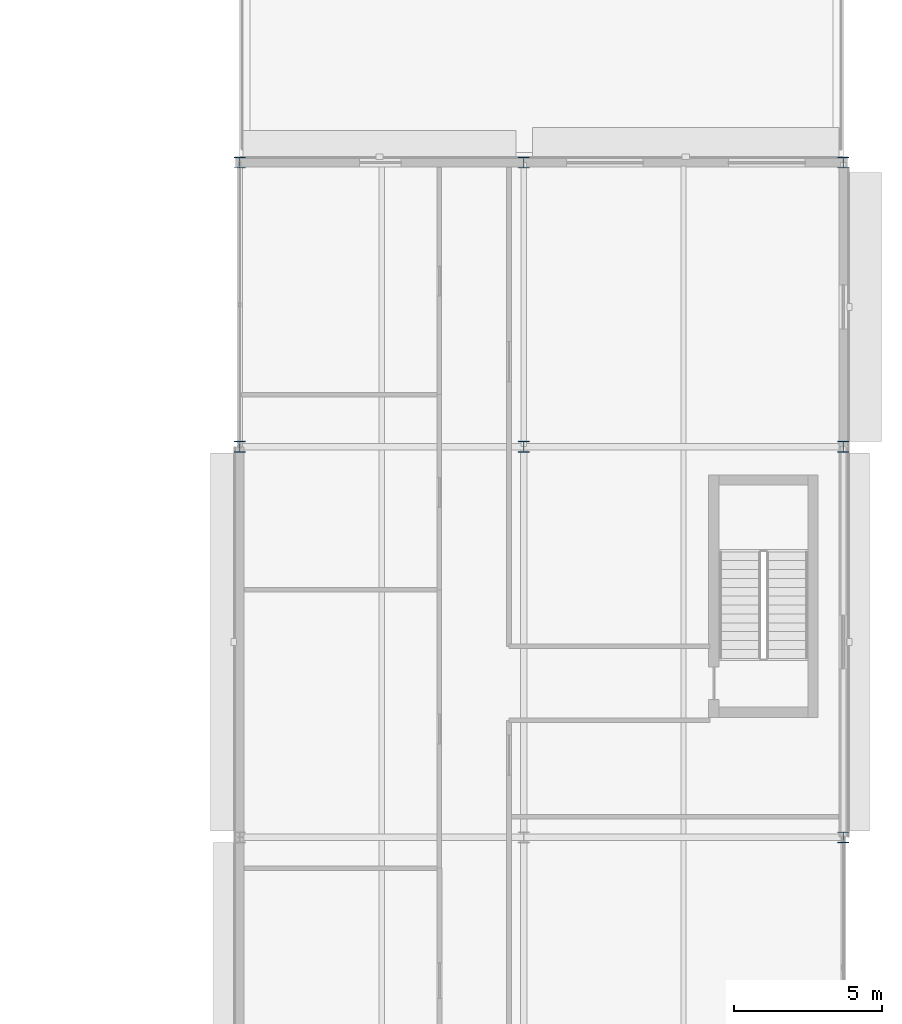
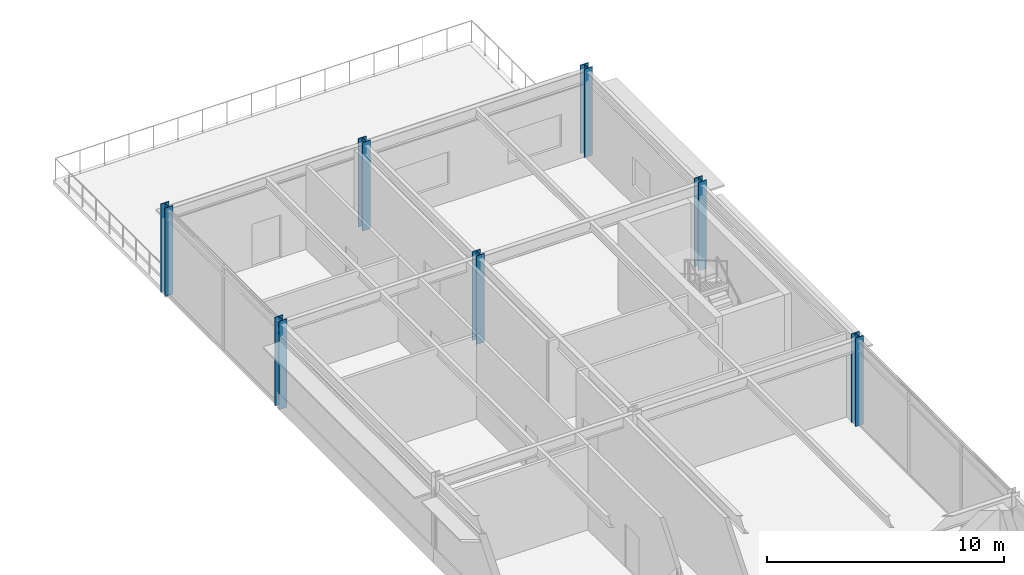
# One storey, part 17 of 133: 7 columns.
"""IFC4 building model written with IfcOpenShell, lengths in metres."""

import ifcopenshell
import ifcopenshell.guid

model = None  # the IFC model being written
_history = None  # IfcOwnerHistory: only IFC2X3 demands one
_inside = {}  # id of a spatial element -> (the spatial element, [elements in it])
_under = {}  # id of a project, library or spatial element -> (it, [spatial elements below it])
_declared = {}  # id of a project -> (the project, [libraries it declares])
_typed = {}  # id of a type object -> (the type object, [elements of that type])
_made_of = {}  # id of a material, layer set ... -> (it, [elements and type objects made of it])


def new_model(schema):
    """Start an empty IFC model of exactly this schema.

    Asked for "IFC4X3", IfcOpenShell would pick the latest addendum, in which some entities
    have other attributes; the version numbers below select the first issue.
    IFC2X3 requires an IfcOwnerHistory on every rooted entity: one is made here for all.
    """
    global model, _history
    if schema == "IFC4X3":
        model = ifcopenshell.file(schema_version=(4, 3, 0, 0))
    else:
        model = ifcopenshell.file(schema=schema)
    _inside.clear()
    _under.clear()
    _declared.clear()
    _typed.clear()
    _made_of.clear()
    _history = None
    if model.schema == "IFC2X3":
        org = make("IfcOrganization", Name="unknown")
        user = make(
            "IfcPersonAndOrganization",
            ThePerson=make("IfcPerson", FamilyName="unknown"),
            TheOrganization=org,
        )
        app = make(
            "IfcApplication",
            ApplicationDeveloper=org,
            Version="unknown",
            ApplicationFullName="unknown",
            ApplicationIdentifier="unknown",
        )
        _history = make(
            "IfcOwnerHistory",
            OwningUser=user,
            OwningApplication=app,
            ChangeAction="ADDED",
            CreationDate=0,
        )
    return model


def make(cls, **values):
    """One entity of the class cls with the attributes given. An attribute that is None is left unset."""
    return model.create_entity(
        cls, **{name: value for name, value in values.items() if value is not None}
    )


def rooted(cls, **values):
    """An entity with a GlobalId (a new one), such as an element, a storey or a relation."""
    return make(cls, GlobalId=ifcopenshell.guid.new(), OwnerHistory=_history, **values)


def si_unit(unit_type, name, prefix=None):
    """IfcSIUnit, for example si_unit("LENGTHUNIT", "METRE", prefix="MILLI")."""
    return make("IfcSIUnit", UnitType=unit_type, Prefix=prefix, Name=name)


def assignment(units):
    """IfcUnitAssignment: the units of a project."""
    return None if units is None else make("IfcUnitAssignment", Units=units)


def point(xyz):
    """IfcCartesianPoint."""
    return None if xyz is None else make("IfcCartesianPoint", Coordinates=xyz)


def direction(xyz):
    """IfcDirection."""
    return None if xyz is None else make("IfcDirection", DirectionRatios=xyz)


def frame(location, z_axis=None, x_axis=None):
    """IfcAxis2Placement3D, a coordinate frame: its origin and axes. An axis left out is left unset."""
    return make(
        "IfcAxis2Placement3D",
        Location=point(location),
        Axis=direction(z_axis),
        RefDirection=direction(x_axis),
    )


def frame_2d(location, x_axis=None):
    """IfcAxis2Placement2D, a coordinate frame in the plane: its origin and x axis."""
    return make(
        "IfcAxis2Placement2D", Location=point(location), RefDirection=direction(x_axis)
    )


def origin():
    """The frame at (0, 0, 0) with its axes left unset."""
    return frame((0.0, 0.0, 0.0))


def origin_2d():
    """The frame at (0, 0) in the plane with its x axis left unset."""
    return frame_2d((0.0, 0.0))


def place(relative_to, where):
    """IfcLocalPlacement: puts the frame where relative to a parent placement (None: the world)."""
    return make(
        "IfcLocalPlacement", PlacementRelTo=relative_to, RelativePlacement=where
    )


def context(
    kind, dimensions, precision=None, world=None, true_north=None, identifier=None
):
    """IfcGeometricRepresentationContext, for example the 3D "Model" context."""
    return make(
        "IfcGeometricRepresentationContext",
        ContextIdentifier=identifier,
        ContextType=kind,
        CoordinateSpaceDimension=dimensions,
        Precision=precision,
        WorldCoordinateSystem=world,
        TrueNorth=true_north,
    )


def subcontext(parent, identifier, kind, view, scale=None):
    """IfcGeometricRepresentationSubContext, for example "Body" below "Model"."""
    return make(
        "IfcGeometricRepresentationSubContext",
        ContextIdentifier=identifier,
        ContextType=kind,
        ParentContext=parent,
        TargetScale=scale,
        TargetView=view,
    )


def project(units=None, contexts=None):
    """IfcProject with its units and contexts."""
    return rooted(
        "IfcProject",
        Name="project",
        RepresentationContexts=contexts,
        UnitsInContext=assignment(units),
    )


def spatial(cls, under=None, at=None, **own):
    """A site, building, storey or space (cls), placed at a placement, below another one or the project."""
    s = rooted(cls, ObjectPlacement=at, **own)
    if under is not None:
        _under.setdefault(under.id(), (under, []))[1].append(s)
    return s


def profile(cls, at=None, kind="AREA", **sizes):
    """A parametric profile (cls). Its sizes go by their IFC names, for example OverallWidth=200.0."""
    return make(cls, ProfileType=kind, Position=at, **sizes)


def i_section(**sizes):
    """IfcIShapeProfileDef."""
    return profile("IfcIShapeProfileDef", **sizes)


def extrude(swept, where, along, depth):
    """IfcExtrudedAreaSolid: the profile swept, set in the frame where, extruded along a direction by depth."""
    return make(
        "IfcExtrudedAreaSolid",
        SweptArea=swept,
        Position=where,
        ExtrudedDirection=direction(along),
        Depth=depth,
    )


def shape(context_of_items, identifier, shape_type, items):
    """IfcShapeRepresentation: the items that make up one representation, for example the "Body"."""
    return make(
        "IfcShapeRepresentation",
        ContextOfItems=context_of_items,
        RepresentationIdentifier=identifier,
        RepresentationType=shape_type,
        Items=items,
    )


def material(Name=None, Category=None):
    """IfcMaterial."""
    return make("IfcMaterial", Name=Name, Category=Category)


def material_profile(
    of_material, cross_section, Name=None, Category=None, Priority=None
):
    """IfcMaterialProfile: a cross section and its material."""
    return make(
        "IfcMaterialProfile",
        Name=Name,
        Material=of_material,
        Profile=cross_section,
        Priority=Priority,
        Category=Category,
    )


def profile_set(profiles, Name=None, composite=None):
    """IfcMaterialProfileSet."""
    return make(
        "IfcMaterialProfileSet",
        Name=Name,
        MaterialProfiles=profiles,
        CompositeProfile=composite,
    )


def made_of(thing, what):
    """Note that an element or type object is made of a material, layer set ...; save() writes the relation."""
    if what is not None:
        _made_of.setdefault(what.id(), (what, []))[1].append(thing)
    return thing


def type_object(cls, material=None, **own):
    """A type object (cls), such as IfcWallType, which elements share."""
    return made_of(rooted(cls, **own), material)


def element(
    cls,
    number,
    at=None,
    inside=None,
    cuts=None,
    type_object=None,
    material=None,
    context=None,
    identifier="Body",
    shape_type=None,
    held_by="IfcProductDefinitionShape",
    body=None,
    shapes=None,
    **own,
):
    """One element of the class cls, such as IfcWall. Its Tag is "e" and its number.

    at: its placement. inside: the storey or other place that contains it. cuts: it is an
    opening in that element (IfcRelVoidsElement). A single representation is given by context,
    identifier, shape_type and body (its items); several are given by shapes. held_by: the class
    of the entity that holds the representations. save() writes the other relations.
    """
    e = rooted(cls, Tag="e%d" % number, ObjectPlacement=at, **own)
    if body is not None:
        shapes = [shape(context, identifier, shape_type, body)]
    if shapes is not None:
        e.Representation = make(held_by, Representations=shapes)
    if inside is not None:
        _inside.setdefault(inside.id(), (inside, []))[1].append(e)
    if cuts is not None:
        rooted(
            "IfcRelVoidsElement", RelatingBuildingElement=cuts, RelatedOpeningElement=e
        )
    if type_object is not None:
        _typed.setdefault(type_object.id(), (type_object, []))[1].append(e)
    return made_of(e, material)


def aggregate(whole, parts):
    """IfcRelAggregates: a whole, such as a stair, and the parts it consists of."""
    return rooted("IfcRelAggregates", RelatingObject=whole, RelatedObjects=parts)


def save(model, path):
    """Write the relations noted so far, then the file.

    IfcRelAggregates (storeys below a building ...), IfcRelContainedInSpatialStructure (elements
    in a storey), IfcRelDefinesByType, IfcRelAssociatesMaterial and IfcRelDeclares: one each for
    every whole, place, type object, material and project.
    """
    for whole, parts in _under.values():
        aggregate(whole, parts)
    for where, things in _inside.values():
        rooted(
            "IfcRelContainedInSpatialStructure",
            RelatedElements=things,
            RelatingStructure=where,
        )
    for kind, things in _typed.values():
        rooted("IfcRelDefinesByType", RelatedObjects=things, RelatingType=kind)
    for what, things in _made_of.values():
        rooted("IfcRelAssociatesMaterial", RelatedObjects=things, RelatingMaterial=what)
    for by, libraries in _declared.values():
        rooted("IfcRelDeclares", RelatingContext=by, RelatedDefinitions=libraries)
    model.write(path)


model = new_model("IFC4")

# Units and contexts
model_context = context("Model", 3, precision=1e-05, world=origin(), true_north=direction((0.0, 1.0)))
body_context = subcontext(model_context, "Body", "Model", "MODEL_VIEW")
ifc_project = project(units=[si_unit("LENGTHUNIT", "METRE"), si_unit("AREAUNIT", "SQUARE_METRE"), si_unit("VOLUMEUNIT", "CUBIC_METRE"), si_unit("PLANEANGLEUNIT", "RADIAN"), si_unit("MASSUNIT", "GRAM", prefix="KILO")], contexts=[model_context])

# Site, building, storey
site_placement = place(None, origin())
site = spatial("IfcSite", under=ifc_project, at=site_placement, CompositionType="ELEMENT")
building_placement = place(site_placement, origin())
building = spatial("IfcBuilding", under=site, at=building_placement, Name="Almandine Court Research Institute", CompositionType="ELEMENT")
storey_placement = place(building_placement, frame((0.0, 0.0, 9.800048828125)))
storey = spatial("IfcBuildingStorey", under=building, at=storey_placement, Name="L02", CompositionType="ELEMENT", Elevation=9.800048828125)

# Columns
ifc_material = material(Name="Steel ASTM A992 Grade 50", Category="steel")
ifc_material_profile_1 = material_profile(ifc_material, i_section(OverallWidth=0.39404296875, OverallDepth=0.375, WebThickness=0.02001953125, FlangeThickness=0.031982421875, at=origin_2d()), Name="W360x216")
ifc_profile_set_1 = profile_set([ifc_material_profile_1], Name="Steel ASTM A992 Grade 50")
column_type_1 = type_object("IfcColumnType", Name="Col-C-W02", PredefinedType="COLUMN", material=ifc_profile_set_1)
for number, where, z_axis, x_axis, name in (
    (1, (153.60009765625, 84.0, 0.0), (0.0, 0.0, 1.0), (1.0, 0.0, 0.0), "L02 V4 Column V4-X2Y8"),
    (2, (153.60009765625, 93.60009765625, 0.0), (0.0, 0.0, 1.0), (1.0, 0.0, 0.0), "L02 V4 Column V4-X2Y9"),
    (3, (163.199951171875, 84.0, 0.0), (0.0, 0.0, 1.0), (1.0, 0.0, 0.0), "L02 V4 Column V4-X3Y8"),
    (4, (163.199951171875, 93.60009765625, 0.0), (0.0, 0.0, 1.0), (1.0, 0.0, 0.0), "L02 V4 Column V4-X3Y9"),
):
    element("IfcColumn", number, at=place(storey_placement, frame(where, z_axis=z_axis, x_axis=x_axis)), inside=storey, type_object=column_type_1, Name=name, PredefinedType="COLUMN", context=body_context, shape_type="SweptSolid", body=[
        extrude(i_section(OverallWidth=0.39404296875, OverallDepth=0.375, WebThickness=0.02001953125, FlangeThickness=0.031982421875, at=origin_2d()), origin(), (0.0, 0.0, 1.0), 4.550048828125),
    ])
ifc_material_profile_2 = material_profile(ifc_material, i_section(OverallWidth=0.39404296875, OverallDepth=0.375, WebThickness=0.02001953125, FlangeThickness=0.031982421875, at=origin_2d()), Name="W360x216")
ifc_profile_set_2 = profile_set([ifc_material_profile_2], Name="Steel ASTM A992 Grade 50")
column_type_2 = type_object("IfcColumnType", Name="Col-C-W02-E", PredefinedType="COLUMN", material=ifc_profile_set_2)
for number, where, z_axis, x_axis, name in (
    (5, (174.0, 70.800048828125, 0.0), (0.0, 0.0, 1.0), (1.0, 0.0, 0.0), "L02 V4 Column V4-X4Y7"),
    (6, (174.0, 84.0, 0.0), (0.0, 0.0, 1.0), (1.0, 0.0, 0.0), "L02 V4 Column V4-X4Y8"),
    (7, (174.0, 93.60009765625, 0.0), (0.0, 0.0, 1.0), (1.0, 0.0, 0.0), "L02 V4 Column V4-X4Y9"),
):
    element("IfcColumn", number, at=place(storey_placement, frame(where, z_axis=z_axis, x_axis=x_axis)), inside=storey, type_object=column_type_2, Name=name, PredefinedType="COLUMN", context=body_context, shape_type="SweptSolid", body=[
        extrude(i_section(OverallWidth=0.39404296875, OverallDepth=0.375, WebThickness=0.02001953125, FlangeThickness=0.031982421875, at=origin_2d()), origin(), (0.0, 0.0, 1.0), 4.550048828125),
    ])

save(model, "model.ifc")
